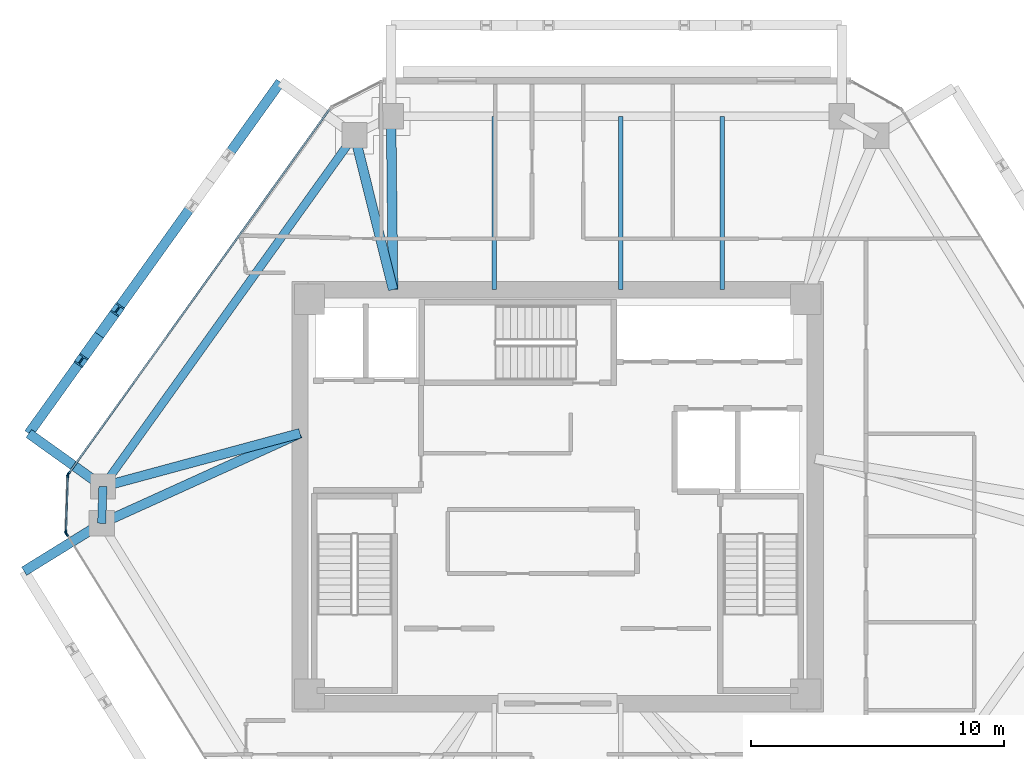
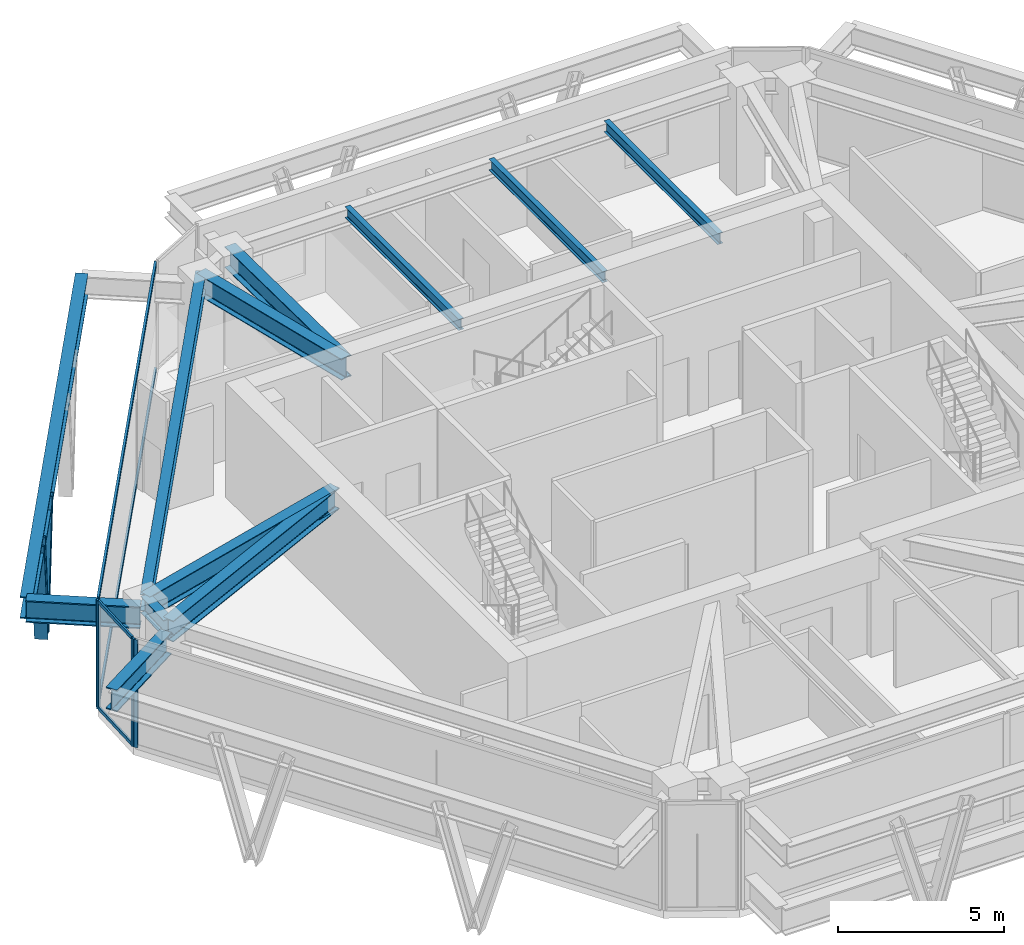
# One storey, part 4 of 11: 12 beams, 10 members, 3 elements without a shape of their own.
"""IFC4 building model written with IfcOpenShell, lengths in metres."""

from ifc_helpers import new_model, si_unit, direction, frame, origin, origin_2d, place, context, subcontext, project, spatial, rectangle, i_section, extrude, source, transform, mapped, material, layer, layer_set, material_profile, profile_set, type_object, type_shapes, element, aggregate, save


model = new_model("IFC4")

# Units and contexts
model_context = context("Model", 3, precision=1e-05, world=origin(), true_north=direction((0.0, 1.0)))
body_context = subcontext(model_context, "Body", "Model", "MODEL_VIEW")
ifc_project = project(units=[si_unit("LENGTHUNIT", "METRE"), si_unit("AREAUNIT", "SQUARE_METRE"), si_unit("VOLUMEUNIT", "CUBIC_METRE"), si_unit("PLANEANGLEUNIT", "RADIAN"), si_unit("MASSUNIT", "GRAM", prefix="KILO")], contexts=[model_context])

# Site, building, storey
site_placement = place(None, origin())
site = spatial("IfcSite", under=ifc_project, at=site_placement, CompositionType="ELEMENT")
building_placement = place(site_placement, origin())
building = spatial("IfcBuilding", under=site, at=building_placement, Name="Durnholm Broadcast Tower", CompositionType="ELEMENT")
storey_placement = place(building_placement, frame((0.0, 0.0, 155.10009765625)))
storey = spatial("IfcBuildingStorey", under=building, at=storey_placement, Name="L42", CompositionType="ELEMENT", Elevation=155.10009765625)

# Beams
ifc_material_1 = material(Name="Steel ASTM A992 Grade 50", Category="steel")
ifc_material_profile_1 = material_profile(ifc_material_1, i_section(OverallWidth=0.385009765625, OverallDepth=0.802978515625, WebThickness=0.023681640625, FlangeThickness=0.0419921875, FilletRadius=0.032958984375, at=origin_2d()), Name="W30X261")
ifc_profile_set_1 = profile_set([ifc_material_profile_1], Name="Steel ASTM A992 Grade 50")
beam_type_1 = type_object("IfcBeamType", Name="BM-EXO-TIE", PredefinedType="USERDEFINED", material=ifc_profile_set_1)
shared_shape_1 = source(origin(), body_context, "Body", "SweptSolid", [
    extrude(i_section(OverallWidth=0.385009765625, OverallDepth=0.802978515625, WebThickness=0.023681640625, FlangeThickness=0.0419921875, FilletRadius=0.032958984375, at=origin_2d()), origin(), (0.0, 0.0, 1.0), 3.4560546875),
])
beam_1_placement = place(storey_placement, frame((-18.131591796875, -1.13232421875, 3.20849609375), z_axis=(-0.850662348375, -0.525712439512, 0.0), x_axis=(0.525712439512, -0.850662348375, 0.0)))
element("IfcBeam", 1, at=beam_1_placement, inside=storey, type_object=beam_type_1, Name="L42 exoskeleton stand-off tie bracket F6.1", ObjectType="GIRDER", PredefinedType="USERDEFINED", context=body_context, shape_type="MappedRepresentation", body=[
    mapped(shared_shape_1, transform((0.0, 0.0, 0.0), x_axis=(1.0, 0.0, 0.0), y_axis=(0.0, 1.0, 0.0), z_axis=(0.0, 0.0, 1.0), scale=1.0)),
])
shared_shape_2 = source(origin(), body_context, "Body", "SweptSolid", [
    extrude(i_section(OverallWidth=0.385009765625, OverallDepth=0.802978515625, WebThickness=0.023681640625, FlangeThickness=0.0419921875, FilletRadius=0.032958984375, at=origin_2d()), origin(), (0.0, 0.0, 1.0), 3.455810546875),
])
beam_2_placement = place(storey_placement, frame((-18.076904296875, 0.4794921875, 3.20849609375), z_axis=(-0.813112485828, 0.582106592808, 0.0), x_axis=(-0.582106592808, -0.813112485828, 0.0)))
element("IfcBeam", 2, at=beam_2_placement, inside=storey, type_object=beam_type_1, Name="L42 exoskeleton stand-off tie bracket F5.2", ObjectType="GIRDER", PredefinedType="USERDEFINED", context=body_context, shape_type="MappedRepresentation", body=[
    mapped(shared_shape_2, transform((0.0, 0.0, 0.0), x_axis=(1.0, 0.0, 0.0), y_axis=(0.0, 1.0, 0.0), z_axis=(0.0, 0.0, 1.0), scale=1.0)),
])
ifc_material_profile_2 = material_profile(ifc_material_1, i_section(OverallWidth=0.3251953125, OverallDepth=0.6162109375, WebThickness=0.013916015625, FlangeThickness=0.021484375, FilletRadius=0.02783203125, at=origin_2d()), Name="W24X117")
ifc_profile_set_2 = profile_set([ifc_material_profile_2], Name="Steel ASTM A992 Grade 50")
beam_type_2 = type_object("IfcBeamType", Name="STL-SP-W24X117", PredefinedType="SPANDREL", material=ifc_profile_set_2)
shared_shape_3 = source(origin(), body_context, "Body", "SweptSolid", [
    extrude(i_section(OverallWidth=0.3251953125, OverallDepth=0.6162109375, WebThickness=0.013916015625, FlangeThickness=0.021484375, FilletRadius=0.02783203125, at=origin_2d()), origin(), (0.0, 0.0, 1.0), 1.452880859375),
])
beam_3_placement = place(storey_placement, frame((-18.009033203125, -1.056640625, 3.63671875), z_axis=(0.03377359304, 0.999429509477, 0.0), x_axis=(-0.999429509477, 0.03377359304, 0.0)))
element("IfcBeam", 3, at=beam_3_placement, inside=storey, type_object=beam_type_2, Name="L42 perimeter spandrel girder 02", PredefinedType="SPANDREL", context=body_context, shape_type="MappedRepresentation", body=[
    mapped(shared_shape_3, transform((0.0, 0.0, 0.0), x_axis=(1.0, 0.0, 0.0), y_axis=(0.0, 1.0, 0.0), z_axis=(0.0, 0.0, 1.0), scale=1.0)),
])
shared_shape_4 = source(origin(), body_context, "Body", "SweptSolid", [
    extrude(i_section(OverallWidth=0.3251953125, OverallDepth=0.6162109375, WebThickness=0.013916015625, FlangeThickness=0.021484375, FilletRadius=0.02783203125, at=origin_2d()), origin(), (0.0, 0.0, 1.0), 17.07177734375),
])
type_shapes(beam_type_2, [shared_shape_3, shared_shape_4])
beam_4_placement = place(storey_placement, frame((-17.9599609375, 0.3955078125, 3.63671875), z_axis=(0.582142843258, 0.813086532937, 0.0), x_axis=(-0.813086532937, 0.582142843258, 0.0)))
element("IfcBeam", 4, at=beam_4_placement, inside=storey, type_object=beam_type_2, Name="L42 perimeter spandrel girder 03", PredefinedType="SPANDREL", context=body_context, shape_type="MappedRepresentation", body=[
    mapped(shared_shape_4, transform((0.0, 0.0, 0.0), x_axis=(1.0, 0.0, 0.0), y_axis=(0.0, 1.0, 0.0), z_axis=(0.0, 0.0, 1.0), scale=1.0)),
])
shared_shape_5 = source(origin(), body_context, "Body", "SweptSolid", [
    extrude(i_section(OverallWidth=0.385009765625, OverallDepth=0.802978515625, WebThickness=0.023681640625, FlangeThickness=0.0419921875, FilletRadius=0.032958984375, at=origin_2d()), origin(), (0.0, 0.0, 1.0), 17.07177734375),
])
type_shapes(beam_type_1, [shared_shape_1, shared_shape_2, shared_shape_5])
beam_5_placement = place(storey_placement, frame((-10.948974609375, 16.3720703125, 3.20849609375), z_axis=(-0.582133388739, -0.813093301974, 0.0), x_axis=(0.813093301974, -0.582133388739, 0.0)))
element("IfcBeam", 5, at=beam_5_placement, inside=storey, type_object=beam_type_1, Name="L42 exoskeleton collector spandrel F5", PredefinedType="SPANDREL", context=body_context, shape_type="MappedRepresentation", body=[
    mapped(shared_shape_5, transform((0.0, 0.0, 0.0), x_axis=(1.0, 0.0, 0.0), y_axis=(0.0, 1.0, 0.0), z_axis=(0.0, 0.0, 1.0), scale=1.0)),
])
ifc_material_profile_3 = material_profile(ifc_material_1, i_section(OverallWidth=0.380615234375, OverallDepth=0.773193359375, WebThickness=0.0166015625, FlangeThickness=0.027099609375, FilletRadius=0.032958984375, at=origin_2d()), Name="W30X173")
ifc_profile_set_3 = profile_set([ifc_material_profile_3], Name="Steel ASTM A992 Grade 50")
beam_type_3 = type_object("IfcBeamType", Name="STL-GR-W30X173", PredefinedType="USERDEFINED", material=ifc_profile_set_3)
shared_shape_6 = source(origin(), body_context, "Body", "SweptSolid", [
    extrude(i_section(OverallWidth=0.380615234375, OverallDepth=0.773193359375, WebThickness=0.0166015625, FlangeThickness=0.027099609375, FilletRadius=0.032958984375, at=origin_2d()), origin(), (0.0, 0.0, 1.0), 8.603515625),
])
beam_6_placement = place(storey_placement, frame((-10.175048828125, 2.5, 3.558349609375), z_axis=(-0.910552971728, -0.413392411248, 0.0), x_axis=(0.413392411248, -0.910552971728, 0.0)))
element("IfcBeam", 6, at=beam_6_placement, inside=storey, type_object=beam_type_3, Name="L42 radial primary floor girder 02", ObjectType="GIRDER", PredefinedType="USERDEFINED", context=body_context, shape_type="MappedRepresentation", body=[
    mapped(shared_shape_6, transform((0.0, 0.0, 0.0), x_axis=(1.0, 0.0, 0.0), y_axis=(0.0, 1.0, 0.0), z_axis=(0.0, 0.0, 1.0), scale=1.0)),
])
shared_shape_7 = source(origin(), body_context, "Body", "SweptSolid", [
    extrude(i_section(OverallWidth=0.380615234375, OverallDepth=0.773193359375, WebThickness=0.0166015625, FlangeThickness=0.027099609375, FilletRadius=0.032958984375, at=origin_2d()), origin(), (0.0, 0.0, 1.0), 8.064453125),
])
beam_7_placement = place(storey_placement, frame((-10.175048828125, 2.5, 3.558349609375), z_axis=(-0.96534896552, -0.260962401066, 0.0), x_axis=(0.260962401066, -0.96534896552, 0.0)))
element("IfcBeam", 7, at=beam_7_placement, inside=storey, type_object=beam_type_3, Name="L42 radial primary floor girder 03", ObjectType="GIRDER", PredefinedType="USERDEFINED", context=body_context, shape_type="MappedRepresentation", body=[
    mapped(shared_shape_7, transform((0.0, 0.0, 0.0), x_axis=(1.0, 0.0, 0.0), y_axis=(0.0, 1.0, 0.0), z_axis=(0.0, 0.0, 1.0), scale=1.0)),
])
shared_shape_8 = source(origin(), body_context, "Body", "SweptSolid", [
    extrude(i_section(OverallWidth=0.380615234375, OverallDepth=0.773193359375, WebThickness=0.0166015625, FlangeThickness=0.027099609375, FilletRadius=0.032958984375, at=origin_2d()), origin(), (0.0, 0.0, 1.0), 6.288330078125),
])
beam_8_placement = place(storey_placement, frame((-6.5, 8.175048828125, 3.558349609375), z_axis=(-0.241996604408, 0.970277096223, 0.0), x_axis=(-0.970277096223, -0.241996604408, 0.0)))
element("IfcBeam", 8, at=beam_8_placement, inside=storey, type_object=beam_type_3, Name="L42 radial primary floor girder 04", ObjectType="GIRDER", PredefinedType="USERDEFINED", context=body_context, shape_type="MappedRepresentation", body=[
    mapped(shared_shape_8, transform((0.0, 0.0, 0.0), x_axis=(1.0, 0.0, 0.0), y_axis=(0.0, 1.0, 0.0), z_axis=(0.0, 0.0, 1.0), scale=1.0)),
])
shared_shape_9 = source(origin(), body_context, "Body", "SweptSolid", [
    extrude(i_section(OverallWidth=0.380615234375, OverallDepth=0.773193359375, WebThickness=0.0166015625, FlangeThickness=0.027099609375, FilletRadius=0.032958984375, at=origin_2d()), origin(), (0.0, 0.0, 1.0), 6.843505859375),
])
type_shapes(beam_type_3, [shared_shape_6, shared_shape_7, shared_shape_8, shared_shape_9])
beam_9_placement = place(storey_placement, frame((-6.5, 8.175048828125, 3.558349609375), z_axis=(-0.011487343604, 0.999934018292, 0.0), x_axis=(-0.999934018292, -0.011487343604, 0.0)))
element("IfcBeam", 9, at=beam_9_placement, inside=storey, type_object=beam_type_3, Name="L42 radial primary floor girder 05", ObjectType="GIRDER", PredefinedType="USERDEFINED", context=body_context, shape_type="MappedRepresentation", body=[
    mapped(shared_shape_9, transform((0.0, 0.0, 0.0), x_axis=(1.0, 0.0, 0.0), y_axis=(0.0, 1.0, 0.0), z_axis=(0.0, 0.0, 1.0), scale=1.0)),
])
ifc_material_profile_4 = material_profile(ifc_material_1, i_section(OverallWidth=0.177734375, OverallDepth=0.40673828125, WebThickness=0.0078125, FlangeThickness=0.0126953125, FilletRadius=0.01904296875, at=origin_2d()), Name="W16X40")
ifc_profile_set_4 = profile_set([ifc_material_profile_4], Name="Steel ASTM A992 Grade 50")
beam_type_4 = type_object("IfcBeamType", Name="STL-BJ-W16X40", PredefinedType="JOIST", material=ifc_profile_set_4)
shared_shape_10 = source(origin(), body_context, "Body", "SweptSolid", [
    extrude(i_section(OverallWidth=0.177734375, OverallDepth=0.40673828125, WebThickness=0.0078125, FlangeThickness=0.0126953125, FilletRadius=0.01904296875, at=origin_2d()), origin(), (0.0, 0.0, 1.0), 6.843017578125),
])
type_shapes(beam_type_4, [shared_shape_10])
for number, where, z_axis, x_axis, name in (
    (10, (-2.5, 8.175048828125, 3.74169921875), (0.0, 1.0, 0.0), (-1.0, 0.0, 0.0), "L42 secondary floor joist 5.2"),
    (11, (2.5, 8.175048828125, 3.74169921875), (0.0, 1.0, 0.0), (-1.0, 0.0, 0.0), "L42 secondary floor joist 6.2"),
    (12, (6.5, 8.175048828125, 3.74169921875), (0.0, 1.0, 0.0), (-1.0, 0.0, 0.0), "L42 secondary floor joist 7.2"),
):
    element("IfcBeam", number, at=place(storey_placement, frame(where, z_axis=z_axis, x_axis=x_axis)), inside=storey, type_object=beam_type_4, Name=name, PredefinedType="JOIST", context=body_context, shape_type="MappedRepresentation", body=[
        mapped(shared_shape_10, transform((0.0, 0.0, 0.0), x_axis=(1.0, 0.0, 0.0), y_axis=(0.0, 1.0, 0.0), z_axis=(0.0, 0.0, 1.0), scale=1.0)),
    ])

# Members
ifc_material_2 = material(Name="Steel ASTM A913 Grade 65", Category="steel")
ifc_material_profile_5 = material_profile(ifc_material_2, i_section(OverallWidth=0.412109375, OverallDepth=0.434814453125, WebThickness=0.035888671875, FlangeThickness=0.057373046875, FilletRadius=0.030517578125, at=origin_2d()), Name="W14X311")
ifc_profile_set_5 = profile_set([ifc_material_profile_5], Name="Steel ASTM A913 Grade 65")
member_type_1 = type_object("IfcMemberType", Name="STL-DG-W14X311", PredefinedType="BRACE", material=ifc_profile_set_5)
shared_shape_11 = source(origin(), body_context, "Body", "SweptSolid", [
    extrude(i_section(OverallWidth=0.412109375, OverallDepth=0.434814453125, WebThickness=0.035888671875, FlangeThickness=0.057373046875, FilletRadius=0.030517578125, at=origin_2d()), origin(), (0.0, 0.0, 1.0), 4.454345703125),
])
type_shapes(member_type_1, [shared_shape_11])
for number, where, z_axis, x_axis, name in (
    (13, (-18.1044921875, 6.3779296875, -1.071533203125), (0.161250824633, 0.225214017138, 0.960872945836), (-0.813077820009, 0.582155012526, 0.0), "L42 stand-off diagrid brace F5.D2.1"),
    (14, (-18.1044921875, 6.3779296875, -1.071533203125), (-0.161197439151, -0.2252160073, 0.960881436842), (0.813171482985, -0.58202417412, 0.0), "L42 stand-off diagrid brace F5.D2.2"),
):
    element("IfcMember", number, at=place(storey_placement, frame(where, z_axis=z_axis, x_axis=x_axis)), inside=storey, type_object=member_type_1, Name=name, PredefinedType="BRACE", context=body_context, shape_type="MappedRepresentation", body=[
        mapped(shared_shape_11, transform((0.0, 0.0, 0.0), x_axis=(1.0, 0.0, 0.0), y_axis=(0.0, 1.0, 0.0), z_axis=(0.0, 0.0, 1.0), scale=1.0)),
    ])

# Curtain wall, members
ifc_material_3 = material(Name="Aluminium and Solar Control IGU", Category="aluminium")
ifc_layer_1 = layer(ifc_material_3, 0.1650390625)
ifc_layer_set_1 = layer_set([ifc_layer_1], Name="Aluminium and Solar Control IGU")
curtain_wall_type_1 = type_object("IfcCurtainWallType", Name="CW-SYS-5", PredefinedType="NOTDEFINED", material=ifc_layer_set_1)
curtain_wall_1_placement = place(storey_placement, origin())
curtain_wall_1 = element("IfcCurtainWall", 15, at=curtain_wall_1_placement, inside=storey, type_object=curtain_wall_type_1, Name="L42 curtain wall CW-CORNER CW-L42-CRN-01", PredefinedType="NOTDEFINED")
ifc_material_4 = material(Name="Aluminium 6063-T6", Category="aluminium")
ifc_material_profile_6 = material_profile(ifc_material_4, rectangle(XDim=0.06494140625, YDim=0.1650390625, at=origin_2d()), Name="CWM65X165")
ifc_profile_set_6 = profile_set([ifc_material_profile_6], Name="Aluminium 6063-T6")
member_type_2 = type_object("IfcMemberType", Name="CW-SYS-5-MUL", PredefinedType="MULLION", material=ifc_profile_set_6)
shared_shape_12 = source(origin(), body_context, "Body", "SweptSolid", [
    extrude(rectangle(XDim=0.06494140625, YDim=0.1650390625, at=origin_2d()), origin(), (0.0, 0.0, 1.0), 3.9599609375),
])
type_shapes(member_type_2, [shared_shape_12])
member_1_placement = place(storey_placement, frame((-19.421630859375, -1.39990234375, 0.0), z_axis=(0.0, 0.0, 1.0), x_axis=(-0.999424798802, 0.033912704699, 0.0)))
member_1 = element("IfcMember", 16, at=member_1_placement, type_object=member_type_2, Name="CW-CORNER mullion 1", PredefinedType="MULLION", context=body_context, shape_type="MappedRepresentation", body=[
    mapped(shared_shape_12, transform((0.0, 0.0, 0.0), x_axis=(1.0, 0.0, 0.0), y_axis=(0.0, 1.0, 0.0), z_axis=(0.0, 0.0, 1.0), scale=1.0)),
])
member_2_placement = place(storey_placement, frame((-19.345703125, 0.833740234375, 0.0), z_axis=(0.0, 0.0, 1.0), x_axis=(-0.999424798802, 0.033912704699, 0.0)))
member_2 = element("IfcMember", 17, at=member_2_placement, type_object=member_type_2, Name="CW-CORNER mullion 2", PredefinedType="MULLION", context=body_context, shape_type="MappedRepresentation", body=[
    mapped(shared_shape_12, transform((0.0, 0.0, 0.0), x_axis=(1.0, 0.0, 0.0), y_axis=(0.0, 1.0, 0.0), z_axis=(0.0, 0.0, 1.0), scale=1.0)),
])

# Curtain wall, member
ifc_layer_2 = layer(ifc_material_3, 0.219970703125)
ifc_layer_set_2 = layer_set([ifc_layer_2], Name="Aluminium and Solar Control IGU")
curtain_wall_type_2 = type_object("IfcCurtainWallType", Name="CW-SYS-6", PredefinedType="NOTDEFINED", material=ifc_layer_set_2)
curtain_wall_2_placement = place(storey_placement, origin())
curtain_wall_2 = element("IfcCurtainWall", 18, at=curtain_wall_2_placement, inside=storey, type_object=curtain_wall_type_2, Name="L42 curtain wall CW-AMENITY CW-L42-F02", PredefinedType="NOTDEFINED")
ifc_material_profile_7 = material_profile(ifc_material_4, rectangle(XDim=0.074951171875, YDim=0.219970703125, at=origin_2d()), Name="CWM75X220")
ifc_profile_set_7 = profile_set([ifc_material_profile_7], Name="Aluminium 6063-T6")
member_type_3 = type_object("IfcMemberType", Name="CW-SYS-6-MUL", PredefinedType="MULLION", material=ifc_profile_set_7)
shared_shape_13 = source(origin(), body_context, "Body", "SweptSolid", [
    extrude(rectangle(XDim=0.074951171875, YDim=0.219970703125, at=origin_2d()), origin(), (0.0, 0.0, 1.0), 3.9599609375),
])
type_shapes(member_type_3, [shared_shape_13])
member_3_placement = place(storey_placement, frame((-19.32275390625, 0.896728515625, 0.0), z_axis=(0.0, 0.0, 1.0), x_axis=(-0.813089262696, 0.582139030549, 0.0)))
member_3 = element("IfcMember", 19, at=member_3_placement, type_object=member_type_3, Name="CW-AMENITY mullion 1", PredefinedType="MULLION", context=body_context, shape_type="MappedRepresentation", body=[
    mapped(shared_shape_13, transform((0.0, 0.0, 0.0), x_axis=(1.0, 0.0, 0.0), y_axis=(0.0, 1.0, 0.0), z_axis=(0.0, 0.0, 1.0), scale=1.0)),
])

curtain_wall_3_placement = place(storey_placement, origin())
curtain_wall_3 = element("IfcCurtainWall", 20, at=curtain_wall_3_placement, inside=storey, type_object=curtain_wall_type_2, Name="L42 curtain wall CW-AMENITY CW-L42-F12", PredefinedType="NOTDEFINED")
member_4_placement = place(storey_placement, frame((-19.403076171875, -1.46435546875, 0.0), z_axis=(0.0, 0.0, 1.0), x_axis=(-0.850671426092, -0.525697750452, 0.0)))
member_4 = element("IfcMember", 21, at=member_4_placement, type_object=member_type_3, Name="CW-AMENITY mullion 2", PredefinedType="MULLION", context=body_context, shape_type="MappedRepresentation", body=[
    mapped(shared_shape_13, transform((0.0, 0.0, 0.0), x_axis=(1.0, 0.0, 0.0), y_axis=(0.0, 1.0, 0.0), z_axis=(0.0, 0.0, 1.0), scale=1.0)),
])
aggregate(curtain_wall_3, [member_4])

# Member
ifc_material_profile_8 = material_profile(ifc_material_4, rectangle(XDim=0.06494140625, YDim=0.1298828125, at=origin_2d()), Name="CWT65X130")
ifc_profile_set_8 = profile_set([ifc_material_profile_8], Name="Aluminium 6063-T6")
member_type_4 = type_object("IfcMemberType", Name="CW-SYS-5-TRN", PredefinedType="USERDEFINED", material=ifc_profile_set_8)
shared_shape_14 = source(origin(), body_context, "Body", "SweptSolid", [
    extrude(rectangle(XDim=0.06494140625, YDim=0.1298828125, at=origin_2d()), origin(), (0.0, 0.0, 1.0), 2.169921875),
])
type_shapes(member_type_4, [shared_shape_14])
member_5_placement = place(storey_placement, frame((-19.42041015625, -1.367431640625, 0.032470703125), z_axis=(0.033865512339, 0.999426399028, 0.0), x_axis=(-0.999426399028, 0.033865512339, 0.0)))
member_5 = element("IfcMember", 22, at=member_5_placement, type_object=member_type_4, Name="CW-CORNER transom 1.1", ObjectType="TRANSOM", PredefinedType="USERDEFINED", context=body_context, shape_type="MappedRepresentation", body=[
    mapped(shared_shape_14, transform((0.0, 0.0, 0.0), x_axis=(1.0, 0.0, 0.0), y_axis=(0.0, 1.0, 0.0), z_axis=(0.0, 0.0, 1.0), scale=1.0)),
])

member_6_placement = place(storey_placement, frame((-19.42041015625, -1.367431640625, 3.927490234375), z_axis=(0.033865512339, 0.999426399028, 0.0), x_axis=(-0.999426399028, 0.033865512339, 0.0)))
member_6 = element("IfcMember", 23, at=member_6_placement, type_object=member_type_4, Name="CW-CORNER transom 1.2", ObjectType="TRANSOM", PredefinedType="USERDEFINED", context=body_context, shape_type="MappedRepresentation", body=[
    mapped(shared_shape_14, transform((0.0, 0.0, 0.0), x_axis=(1.0, 0.0, 0.0), y_axis=(0.0, 1.0, 0.0), z_axis=(0.0, 0.0, 1.0), scale=1.0)),
])

aggregate(curtain_wall_1, [member_1, member_2, member_5, member_6])

ifc_material_profile_9 = material_profile(ifc_material_4, rectangle(XDim=0.074951171875, YDim=0.179931640625, at=origin_2d()), Name="CWT75X180")
ifc_profile_set_9 = profile_set([ifc_material_profile_9], Name="Aluminium 6063-T6")
member_type_5 = type_object("IfcMemberType", Name="CW-SYS-6-TRN", PredefinedType="USERDEFINED", material=ifc_profile_set_9)
shared_shape_15 = source(origin(), body_context, "Body", "SweptSolid", [
    extrude(rectangle(XDim=0.074951171875, YDim=0.179931640625, at=origin_2d()), origin(), (0.0, 0.0, 1.0), 17.683837890625),
])
type_shapes(member_type_5, [shared_shape_15])
member_7_placement = place(storey_placement, frame((-19.301025390625, 0.92724609375, 0.037353515625), z_axis=(0.582141565096, 0.813087448057, 0.0), x_axis=(-0.813087448057, 0.582141565096, 0.0)))
member_7 = element("IfcMember", 24, at=member_7_placement, type_object=member_type_5, Name="CW-AMENITY transom 1.1", ObjectType="TRANSOM", PredefinedType="USERDEFINED", context=body_context, shape_type="MappedRepresentation", body=[
    mapped(shared_shape_15, transform((0.0, 0.0, 0.0), x_axis=(1.0, 0.0, 0.0), y_axis=(0.0, 1.0, 0.0), z_axis=(0.0, 0.0, 1.0), scale=1.0)),
])

member_8_placement = place(storey_placement, frame((-19.301025390625, 0.92724609375, 3.92236328125), z_axis=(0.582141565096, 0.813087448057, 0.0), x_axis=(-0.813087448057, 0.582141565096, 0.0)))
member_8 = element("IfcMember", 25, at=member_8_placement, type_object=member_type_5, Name="CW-AMENITY transom 1.2", ObjectType="TRANSOM", PredefinedType="USERDEFINED", context=body_context, shape_type="MappedRepresentation", body=[
    mapped(shared_shape_15, transform((0.0, 0.0, 0.0), x_axis=(1.0, 0.0, 0.0), y_axis=(0.0, 1.0, 0.0), z_axis=(0.0, 0.0, 1.0), scale=1.0)),
])

aggregate(curtain_wall_2, [member_3, member_7, member_8])

save(model, "model.ifc")
